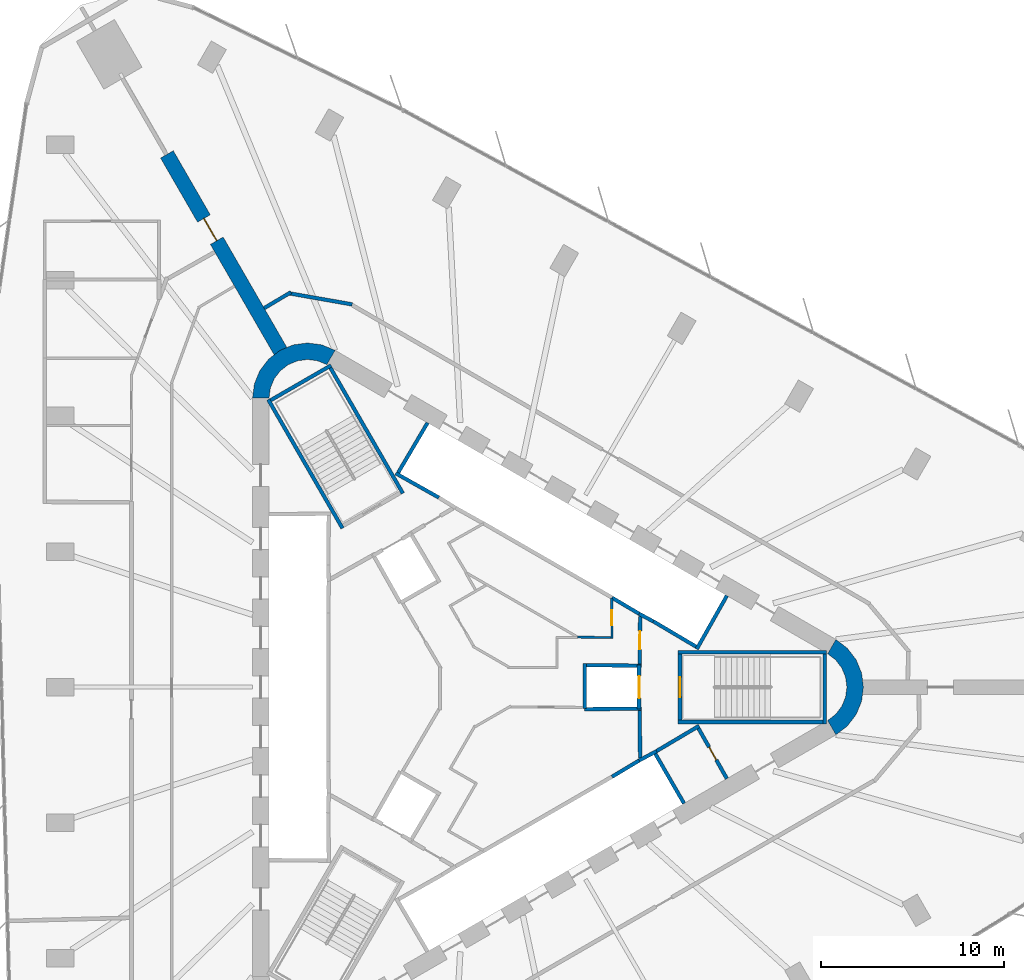
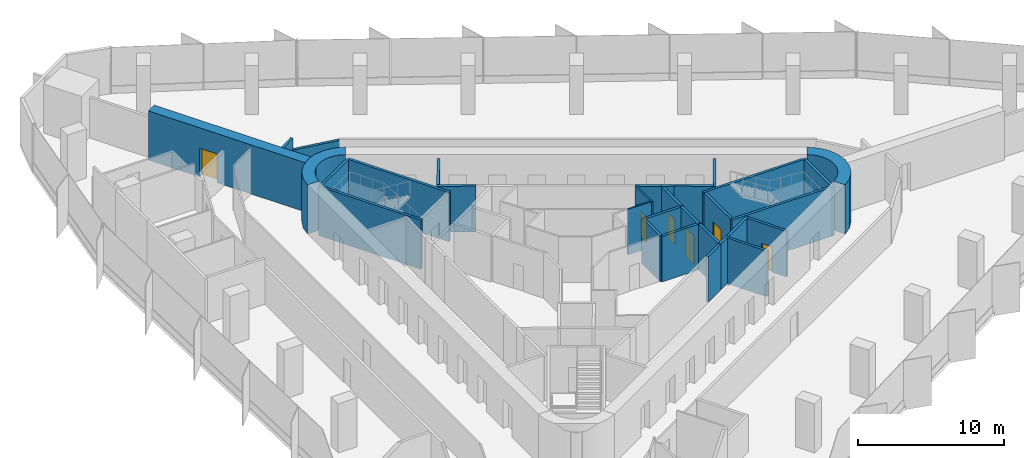
# One storey, part 11 of 14: 31 walls, 6 doors, 6 openings.
"""IFC4 building model written with IfcOpenShell, lengths in metres."""

from ifc_helpers import new_model, si_unit, direction, frame, frame_2d, origin, place, context, subcontext, project, spatial, polyline, rectangle, outline, extrude, material, layer, layer_set, type_object, element, fill, save


model = new_model("IFC4")

# Units and contexts
model_context = context("Model", 3, precision=1e-05, world=origin(), true_north=direction((0.0, 1.0)))
body_context = subcontext(model_context, "Body", "Model", "MODEL_VIEW")
ifc_project = project(units=[si_unit("LENGTHUNIT", "METRE"), si_unit("AREAUNIT", "SQUARE_METRE"), si_unit("VOLUMEUNIT", "CUBIC_METRE"), si_unit("PLANEANGLEUNIT", "RADIAN"), si_unit("MASSUNIT", "GRAM", prefix="KILO")], contexts=[model_context])

# Site, building, storey
site_placement = place(None, origin())
site = spatial("IfcSite", under=ifc_project, at=site_placement, CompositionType="ELEMENT")
building_placement = place(site_placement, origin())
building = spatial("IfcBuilding", under=site, at=building_placement, Name="Tanit Gate Tower", CompositionType="ELEMENT")
storey_placement = place(building_placement, frame((0.0, 0.0, 143.89990234375)))
storey = spatial("IfcBuildingStorey", under=building, at=storey_placement, Name="L31", CompositionType="ELEMENT", Elevation=143.89990234375)

# Wall, opening, door
ifc_material_1 = material(Name="Concrete C60/75", Category="concrete")
ifc_layer_1 = layer(ifc_material_1, 0.800048828125)
ifc_layer_set_1 = layer_set([ifc_layer_1], Name="BUTTRESS FIN 800 C60/75")
wall_type_1 = type_object("IfcWallType", Name="BUTTRESS FIN 800 C60/75", PredefinedType="SHEAR", material=ifc_layer_set_1)
wall_1_placement = place(storey_placement, frame((-10.574951171875, 18.31640625, 0.0), z_axis=(0.0, 0.0, 1.0), x_axis=(-0.500002326941, 0.86602406032, 0.0)))
wall_1 = element("IfcWall", 1, at=wall_1_placement, inside=storey, type_object=wall_type_1, Name="BUTTRESS FIN", PredefinedType="SHEAR", context=body_context, shape_type="SweptSolid", body=[
    extrude(rectangle(XDim=12.3837890625, YDim=0.800048828125, at=frame_2d((6.19189453125, 0.0))), origin(), (0.0, 0.0, 1.0), 4.10009765625),
])
opening_1_placement = place(wall_1_placement, frame((6.949951171875, 0.0, 0.0)))
opening_1 = element("IfcOpeningElement", 2, at=opening_1_placement, cuts=wall_1, Name="Opening P14-S08-F-NW-1", PredefinedType="OPENING", context=body_context, shape_type="SweptSolid", body=[
    extrude(rectangle(XDim=1.39990234375, YDim=2.39990234375, at=frame_2d((0.699951171875, 1.199951171875))), frame((0.0, 0.41015625, 0.0), z_axis=(0.0, -1.0, 0.0), x_axis=(1.0, 0.0, 0.0)), (0.0, 0.0, 1.0), 0.820068359375),
])
ifc_material_2 = material(Name="Timber door leaf", Category="wood")
door_type_1 = type_object("IfcDoorType", Name="INT-DOOR-FIN-PAIR-1400", OperationType="NOTDEFINED", PredefinedType="NOTDEFINED", material=ifc_material_2)
door_1_placement = place(opening_1_placement, origin())
door_1 = element("IfcDoor", 3, at=door_1_placement, inside=storey, type_object=door_type_1, Name="Door P14-S08-F-NW-1", OperationType="DOUBLE_DOOR_SINGLE_SWING", OverallHeight=2.39990234375, OverallWidth=1.39990234375, PredefinedType="NOTDEFINED", context=body_context, shape_type="SweptSolid", body=[
    extrude(rectangle(XDim=1.39990234375, YDim=2.39990234375, at=frame_2d((0.699951171875, 1.199951171875))), frame((0.0, 0.02490234375, 0.0), z_axis=(0.0, -1.0, 0.0), x_axis=(1.0, 0.0, 0.0)), (0.0, 0.0, 1.0), 0.050048828125),
])
fill(opening_1, door_1)

# Walls
ifc_material_3 = material(Name="Concrete C60/75", Category="concrete")
ifc_layer_2 = layer(ifc_material_3, 0.89990234375)
ifc_layer_set_2 = layer_set([ifc_layer_2], Name="CORE WALL 900 C60/75")
wall_type_2 = type_object("IfcWallType", Name="CORE WALL 900 C60/75", PredefinedType="SHEAR", material=ifc_layer_set_2)
wall_2_placement = place(storey_placement, origin())
element("IfcWall", 4, at=wall_2_placement, inside=storey, type_object=wall_type_2, Name="CORE WALL CORNER", PredefinedType="SHEAR", context=body_context, shape_type="SweptSolid", body=[
    extrude(outline(polyline([(-7.60009765625, 18.359619140625), (-8.323486328125, 18.659423828125), (-9.10009765625, 18.76171875), (-9.87646484375, 18.659423828125), (-10.60009765625, 18.359619140625), (-11.22119140625, 17.883056640625), (-11.697998046875, 17.26171875), (-11.997802734375, 16.5380859375), (-12.10009765625, 15.76171875), (-11.199951171875, 15.76171875), (-11.12841796875, 16.30517578125), (-10.918701171875, 16.811767578125), (-10.5849609375, 17.24658203125), (-10.14990234375, 17.580322265625), (-9.6435546875, 17.7900390625), (-9.10009765625, 17.86181640625), (-8.556396484375, 17.7900390625), (-8.050048828125, 17.580322265625), (-7.60009765625, 18.359619140625)])), origin(), (0.0, 0.0, 1.0), 4.10009765625),
])
wall_3_placement = place(storey_placement, origin())
element("IfcWall", 5, at=wall_3_placement, inside=storey, type_object=wall_type_2, Name="CORE WALL CORNER", PredefinedType="SHEAR", context=body_context, shape_type="SweptSolid", body=[
    extrude(outline(polyline([(19.699951171875, -2.59814453125), (20.3212890625, -2.121337890625), (20.798095703125, -1.5), (21.097900390625, -0.776611328125), (21.199951171875, 0.0), (21.097900390625, 0.776611328125), (20.798095703125, 1.5), (20.3212890625, 2.121337890625), (19.699951171875, 2.59814453125), (19.25, 1.818603515625), (19.684814453125, 1.48486328125), (20.018798828125, 1.050048828125), (20.228515625, 0.54345703125), (20.300048828125, 0.0), (20.228515625, -0.54345703125), (20.018798828125, -1.050048828125), (19.684814453125, -1.48486328125), (19.25, -1.818603515625), (19.699951171875, -2.59814453125)])), origin(), (0.0, 0.0, 1.0), 4.10009765625),
])
ifc_material_4 = material(Name="Fire-rated gypsum board partition")
ifc_layer_3 = layer(ifc_material_4, 0.199951171875)
ifc_layer_set_3 = layer_set([ifc_layer_3], Name="INT-WALL-COMPARTMENT")
wall_type_3 = type_object("IfcWallType", Name="INT-WALL-COMPARTMENT", PredefinedType="PARTITIONING", material=ifc_layer_set_3)
wall_4_placement = place(storey_placement, frame((12.244873046875, -2.10888671875, 0.0), z_axis=(0.0, 0.0, 1.0), x_axis=(-0.860414880418, -0.509594185166, 0.0)))
element("IfcWall", 6, at=wall_4_placement, inside=storey, type_object=wall_type_3, Name="Wall Compartment W057", PredefinedType="PARTITIONING", context=body_context, shape_type="SweptSolid", body=[
    extrude(rectangle(XDim=2.7001953125, YDim=0.199951171875, at=frame_2d((1.35009765625, 0.0))), origin(), (0.0, 0.0, 1.0), 3.800048828125),
])

# Wall, opening, door
wall_5_placement = place(storey_placement, frame((13.758056640625, -4.989501953125, 0.0), z_axis=(0.0, 0.0, 1.0), x_axis=(-0.491993409184, 0.87059892334, 0.0)))
wall_5 = element("IfcWall", 7, at=wall_5_placement, inside=storey, type_object=wall_type_3, Name="Wall Compartment W058", PredefinedType="PARTITIONING", context=body_context, shape_type="SweptSolid", body=[
    extrude(rectangle(XDim=3.150146484375, YDim=0.199951171875, at=frame_2d((1.5751953125, 0.0))), origin(), (0.0, 0.0, 1.0), 3.800048828125),
])
opening_2_placement = place(wall_5_placement, frame((1.175048828125, 0.0, 0.0)))
opening_2 = element("IfcOpeningElement", 8, at=opening_2_placement, cuts=wall_5, Name="Opening R08-S08-14", PredefinedType="OPENING", context=body_context, shape_type="SweptSolid", body=[
    extrude(rectangle(XDim=0.800048828125, YDim=2.10009765625, at=frame_2d((0.39990234375, 1.050048828125))), frame((0.0, 0.10986328125, 0.0), z_axis=(0.0, -1.0, 0.0), x_axis=(1.0, 0.0, 0.0)), (0.0, 0.0, 1.0), 0.219970703125),
])
ifc_material_5 = material(Name="Timber door leaf", Category="wood")
door_type_2 = type_object("IfcDoorType", Name="INT-DOOR-RISER-800", OperationType="NOTDEFINED", PredefinedType="USERDEFINED", material=ifc_material_5)
door_2_placement = place(opening_2_placement, origin())
door_2 = element("IfcDoor", 9, at=door_2_placement, inside=storey, type_object=door_type_2, Name="Door R08-S08-14", ObjectType="FIRE DOOR", OperationType="SINGLE_SWING_RIGHT", OverallHeight=2.10009765625, OverallWidth=0.800048828125, PredefinedType="USERDEFINED", context=body_context, shape_type="SweptSolid", body=[
    extrude(rectangle(XDim=0.800048828125, YDim=2.10009765625, at=frame_2d((0.39990234375, 1.050048828125))), frame((0.0, 0.02490234375, 0.0), z_axis=(0.0, -1.0, 0.0), x_axis=(1.0, 0.0, 0.0)), (0.0, 0.0, 1.0), 0.050048828125),
])
fill(opening_2, door_2)

# Wall
wall_6_placement = place(storey_placement, frame((9.02880859375, -3.8505859375, 0.0), z_axis=(0.0, 0.0, 1.0), x_axis=(-0.010784614026, 0.999941844359, 0.0)))
element("IfcWall", 10, at=wall_6_placement, inside=storey, type_object=wall_type_3, Name="Wall Compartment W059", PredefinedType="PARTITIONING", context=body_context, shape_type="SweptSolid", body=[
    extrude(rectangle(XDim=2.580810546875, YDim=0.199951171875, at=frame_2d((1.29052734375, 0.0))), origin(), (0.0, 0.0, 1.0), 3.800048828125),
])

# Wall, opening, door
wall_7_placement = place(storey_placement, frame((9.0009765625, 1.27001953125, 0.0), z_axis=(0.0, 0.0, 1.0), x_axis=(0.010783593937, 0.99994185536, 0.0)))
wall_7 = element("IfcWall", 11, at=wall_7_placement, inside=storey, type_object=wall_type_3, Name="Wall Compartment W060", PredefinedType="PARTITIONING", context=body_context, shape_type="SweptSolid", body=[
    extrude(rectangle(XDim=2.5810546875, YDim=0.199951171875, at=frame_2d((1.29052734375, 0.0))), origin(), (0.0, 0.0, 1.0), 3.800048828125),
])
opening_3_placement = place(wall_7_placement, frame((0.79052734375, 0.0, 0.0)))
opening_3 = element("IfcOpeningElement", 12, at=opening_3_placement, cuts=wall_7, Name="Opening F10-S08-02", PredefinedType="OPENING", context=body_context, shape_type="SweptSolid", body=[
    extrude(rectangle(XDim=1.0, YDim=2.10009765625, at=frame_2d((0.5, 1.050048828125))), frame((0.0, 0.10986328125, 0.0), z_axis=(0.0, -1.0, 0.0), x_axis=(1.0, 0.0, 0.0)), (0.0, 0.0, 1.0), 0.219970703125),
])
ifc_material_6 = material(Name="Fire-rated steel door leaf", Category="steel")
door_type_3 = type_object("IfcDoorType", Name="INT-DOOR-FIRE-1000", OperationType="NOTDEFINED", PredefinedType="USERDEFINED", material=ifc_material_6)
door_3_placement = place(opening_3_placement, origin())
door_3 = element("IfcDoor", 13, at=door_3_placement, inside=storey, type_object=door_type_3, Name="Door F10-S08-02", ObjectType="FIRE DOOR", OperationType="SINGLE_SWING_RIGHT", OverallHeight=2.10009765625, OverallWidth=1.0, PredefinedType="USERDEFINED", context=body_context, shape_type="SweptSolid", body=[
    extrude(rectangle(XDim=1.0, YDim=2.10009765625, at=frame_2d((0.5, 1.050048828125))), frame((0.0, 0.02490234375, 0.0), z_axis=(0.0, -1.0, 0.0), x_axis=(1.0, 0.0, 0.0)), (0.0, 0.0, 1.0), 0.050048828125),
])
fill(opening_3, door_3)

# Walls
wall_8_placement = place(storey_placement, frame((-10.00732421875, 21.528564453125, 0.0), z_axis=(0.0, 0.0, 1.0), x_axis=(-0.858379714818, -0.513014878136, 0.0)))
element("IfcWall", 14, at=wall_8_placement, inside=storey, type_object=wall_type_3, Name="Wall Compartment W101", PredefinedType="PARTITIONING", context=body_context, shape_type="SweptSolid", body=[
    extrude(rectangle(XDim=1.697998046875, YDim=0.199951171875, at=frame_2d((0.84912109375, 0.0))), origin(), (0.0, 0.0, 1.0), 3.800048828125),
])
wall_9_placement = place(storey_placement, frame((-6.667236328125, 20.863037109375, 0.0), z_axis=(0.0, 0.0, 1.0), x_axis=(-0.984817805596, 0.173591156977, 0.0)))
element("IfcWall", 15, at=wall_9_placement, inside=storey, type_object=wall_type_3, Name="Wall Compartment W102", PredefinedType="PARTITIONING", context=body_context, shape_type="SweptSolid", body=[
    extrude(rectangle(XDim=3.44287109375, YDim=0.199951171875, at=frame_2d((1.721435546875, 0.0))), origin(), (0.0, 0.0, 1.0), 2.880126953125),
])

# Wall, opening, door
ifc_material_7 = material(Name="Gypsum board partition")
ifc_layer_4 = layer(ifc_material_7, 0.1201171875)
ifc_layer_set_4 = layer_set([ifc_layer_4], Name="INT-WALL-PARTITION")
wall_type_4 = type_object("IfcWallType", Name="INT-WALL-PARTITION", PredefinedType="PARTITIONING", material=ifc_layer_set_4)
wall_10_placement = place(storey_placement, frame((7.500732421875, 2.639892578125, 0.0), z_axis=(0.0, 0.0, 1.0), x_axis=(-0.01174194727, 0.999931060961, 0.0)))
wall_10 = element("IfcWall", 16, at=wall_10_placement, inside=storey, type_object=wall_type_4, Name="Wall Partition W077", PredefinedType="PARTITIONING", context=body_context, shape_type="SweptSolid", body=[
    extrude(rectangle(XDim=2.224853515625, YDim=0.1201171875, at=frame_2d((1.1123046875, 0.0))), origin(), (0.0, 0.0, 1.0), 3.800048828125),
])
opening_4_placement = place(wall_10_placement, frame((0.7421875, 0.0, 0.0)))
opening_4 = element("IfcOpeningElement", 17, at=opening_4_placement, cuts=wall_10, Name="Opening R08-S08-12", PredefinedType="OPENING", context=body_context, shape_type="SweptSolid", body=[
    extrude(rectangle(XDim=0.800048828125, YDim=2.10009765625, at=frame_2d((0.39990234375, 1.050048828125))), frame((0.0, 0.070068359375, 0.0), z_axis=(0.0, -1.0, 0.0), x_axis=(1.0, 0.0, 0.0)), (0.0, 0.0, 1.0), 0.14013671875),
])
door_4_placement = place(opening_4_placement, origin())
door_4 = element("IfcDoor", 18, at=door_4_placement, inside=storey, type_object=door_type_2, Name="Door R08-S08-12", ObjectType="FIRE DOOR", OperationType="SINGLE_SWING_RIGHT", OverallHeight=2.10009765625, OverallWidth=0.800048828125, PredefinedType="USERDEFINED", context=body_context, shape_type="SweptSolid", body=[
    extrude(rectangle(XDim=0.800048828125, YDim=2.10009765625, at=frame_2d((0.39990234375, 1.050048828125))), frame((0.0, 0.02490234375, 0.0), z_axis=(0.0, -1.0, 0.0), x_axis=(1.0, 0.0, 0.0)), (0.0, 0.0, 1.0), 0.050048828125),
])
fill(opening_4, door_4)

# Walls
wall_11_placement = place(storey_placement, frame((5.616943359375, 2.72900390625, 0.0), z_axis=(0.0, 0.0, 1.0), x_axis=(0.999881424181, -0.015399271967, 0.0)))
element("IfcWall", 19, at=wall_11_placement, inside=storey, type_object=wall_type_4, Name="Wall Partition W078", PredefinedType="PARTITIONING", context=body_context, shape_type="SweptSolid", body=[
    extrude(rectangle(XDim=1.8232421875, YDim=0.1201171875, at=frame_2d((0.91162109375, 0.0))), origin(), (0.0, 0.0, 1.0), 3.800048828125),
])
ifc_material_8 = material(Name="Gypsum shaft wall system")
ifc_layer_5 = layer(ifc_material_8, 0.199951171875)
ifc_layer_set_5 = layer_set([ifc_layer_5], Name="INT-WALL-SHAFT")
wall_type_5 = type_object("IfcWallType", Name="INT-WALL-SHAFT", PredefinedType="PLUMBINGWALL", material=ifc_layer_set_5)
wall_12_placement = place(storey_placement, frame((12.10986328125, 2.07275390625, 0.0), z_axis=(0.0, 0.0, 1.0), x_axis=(0.49196600604, 0.870614408852, 0.0)))
element("IfcWall", 20, at=wall_12_placement, inside=storey, type_object=wall_type_5, Name="Wall Shaft W013", PredefinedType="PLUMBINGWALL", context=body_context, shape_type="SweptSolid", body=[
    extrude(rectangle(XDim=3.35009765625, YDim=0.199951171875, at=frame_2d((1.675048828125, 0.0))), origin(), (0.0, 0.0, 1.0), 3.800048828125),
])
wall_13_placement = place(storey_placement, frame((12.072998046875, 2.2109375, 0.0), z_axis=(0.0, 0.0, 1.0), x_axis=(-0.860438357912, 0.509554542943, 0.0)))
element("IfcWall", 21, at=wall_13_placement, inside=storey, type_object=wall_type_5, Name="Wall Shaft W014", PredefinedType="PLUMBINGWALL", context=body_context, shape_type="SweptSolid", body=[
    extrude(rectangle(XDim=2.700439453125, YDim=0.199951171875, at=frame_2d((1.35009765625, 0.0))), origin(), (0.0, 0.0, 1.0), 3.800048828125),
])
wall_14_placement = place(storey_placement, frame((9.74755859375, 3.583251953125, 0.0), z_axis=(0.0, 0.0, 1.0), x_axis=(-0.880917147855, 0.473270513147, 0.0)))
element("IfcWall", 22, at=wall_14_placement, inside=storey, type_object=wall_type_5, Name="Wall Shaft W015", PredefinedType="PLUMBINGWALL", context=body_context, shape_type="SweptSolid", body=[
    extrude(rectangle(XDim=0.8779296875, YDim=0.199951171875, at=frame_2d((0.43896484375, 0.0))), origin(), (0.0, 0.0, 1.0), 3.800048828125),
])
wall_15_placement = place(storey_placement, frame((9.07958984375, 3.93701171875, 0.0), z_axis=(0.0, 0.0, 1.0), x_axis=(-0.859981807212, 0.510324691999, 0.0)))
element("IfcWall", 23, at=wall_15_placement, inside=storey, type_object=wall_type_5, Name="Wall Shaft W016", PredefinedType="PLUMBINGWALL", context=body_context, shape_type="SweptSolid", body=[
    extrude(rectangle(XDim=1.8447265625, YDim=0.199951171875, at=frame_2d((0.92236328125, 0.0))), origin(), (0.0, 0.0, 1.0), 3.800048828125),
])
wall_16_placement = place(storey_placement, frame((-4.296142578125, 11.658935546875, 0.0), z_axis=(0.0, 0.0, 1.0), x_axis=(0.871534483978, -0.490334215854, 0.0)))
element("IfcWall", 24, at=wall_16_placement, inside=storey, type_object=wall_type_5, Name="Wall Shaft W021", PredefinedType="PLUMBINGWALL", context=body_context, shape_type="SweptSolid", body=[
    extrude(rectangle(XDim=2.7001953125, YDim=0.199951171875, at=frame_2d((1.35009765625, 0.0))), origin(), (0.0, 0.0, 1.0), 3.800048828125),
])
wall_17_placement = place(storey_placement, frame((-4.158203125, 11.696044921875, 0.0), z_axis=(0.0, 0.0, 1.0), x_axis=(0.508018930956, 0.861345903683, 0.0)))
element("IfcWall", 25, at=wall_17_placement, inside=storey, type_object=wall_type_5, Name="Wall Shaft W022", PredefinedType="PLUMBINGWALL", context=body_context, shape_type="SweptSolid", body=[
    extrude(rectangle(XDim=3.150146484375, YDim=0.199951171875, at=frame_2d((1.5751953125, 0.0))), origin(), (0.0, 0.0, 1.0), 3.800048828125),
])
wall_18_placement = place(storey_placement, frame((9.794677734375, -3.52490234375, 0.0), z_axis=(0.0, 0.0, 1.0), x_axis=(0.499984717929, -0.866034226713, 0.0)))
element("IfcWall", 26, at=wall_18_placement, inside=storey, type_object=wall_type_5, Name="Wall Shaft W024", PredefinedType="PLUMBINGWALL", context=body_context, shape_type="SweptSolid", body=[
    extrude(rectangle(XDim=3.25, YDim=0.199951171875, at=frame_2d((1.625, 0.0))), origin(), (0.0, 0.0, 1.0), 3.800048828125),
])
wall_19_placement = place(storey_placement, frame((8.97412109375, -3.998779296875, 0.0), z_axis=(0.0, 0.0, 1.0), x_axis=(0.880907015104, 0.473289373154, 0.0)))
element("IfcWall", 27, at=wall_19_placement, inside=storey, type_object=wall_type_5, Name="Wall Shaft W025", PredefinedType="PLUMBINGWALL", context=body_context, shape_type="SweptSolid", body=[
    extrude(rectangle(XDim=1.078125, YDim=0.199951171875, at=frame_2d((0.5390625, 0.0))), origin(), (0.0, 0.0, 1.0), 3.800048828125),
])
wall_20_placement = place(storey_placement, frame((7.497314453125, -4.885986328125, 0.0), z_axis=(0.0, 0.0, 1.0), x_axis=(0.857516281273, 0.51445682749, 0.0)))
element("IfcWall", 28, at=wall_20_placement, inside=storey, type_object=wall_type_5, Name="Wall Shaft W026", PredefinedType="PLUMBINGWALL", context=body_context, shape_type="SweptSolid", body=[
    extrude(rectangle(XDim=1.8447265625, YDim=0.199951171875, at=frame_2d((0.92236328125, 0.0))), origin(), (0.0, 0.0, 1.0), 3.800048828125),
])

# Wall, opening, door
wall_21_placement = place(storey_placement, frame((8.969970703125, 1.199951171875, 0.0), z_axis=(0.0, 0.0, 1.0), x_axis=(0.0, -1.0, 0.0)))
wall_21 = element("IfcWall", 29, at=wall_21_placement, inside=storey, type_object=wall_type_5, Name="Wall Shaft W037", PredefinedType="PLUMBINGWALL", context=body_context, shape_type="SweptSolid", body=[
    extrude(rectangle(XDim=2.39990234375, YDim=0.199951171875, at=frame_2d((1.199951171875, 0.0))), origin(), (0.0, 0.0, 1.0), 3.800048828125),
])
opening_5_placement = place(wall_21_placement, frame((0.60009765625, 0.0, 0.0)))
opening_5 = element("IfcOpeningElement", 30, at=opening_5_placement, cuts=wall_21, Name="Opening LDFL1-L31", PredefinedType="OPENING", context=body_context, shape_type="SweptSolid", body=[
    extrude(rectangle(XDim=1.199951171875, YDim=2.39990234375, at=frame_2d((0.60009765625, 1.199951171875))), frame((0.0, 0.10986328125, 0.0), z_axis=(0.0, -1.0, 0.0), x_axis=(1.0, 0.0, 0.0)), (0.0, 0.0, 1.0), 0.219970703125),
])
ifc_material_9 = material(Name="Stainless steel sliding door leaf", Category="steel")
door_type_4 = type_object("IfcDoorType", Name="INT-DOOR-LANDING-1200", OperationType="NOTDEFINED", PredefinedType="USERDEFINED", material=ifc_material_9)
door_5_placement = place(opening_5_placement, origin())
door_5 = element("IfcDoor", 31, at=door_5_placement, inside=storey, type_object=door_type_4, Name="Door LDFL1-L31", ObjectType="LANDING DOOR", OperationType="SLIDING_TO_LEFT", OverallHeight=2.39990234375, OverallWidth=1.199951171875, PredefinedType="USERDEFINED", context=body_context, shape_type="SweptSolid", body=[
    extrude(rectangle(XDim=1.199951171875, YDim=2.39990234375, at=frame_2d((0.60009765625, 1.199951171875))), frame((0.0, 0.02490234375, 0.0), z_axis=(0.0, -1.0, 0.0), x_axis=(1.0, 0.0, 0.0)), (0.0, 0.0, 1.0), 0.050048828125),
])
fill(opening_5, door_5)

# Walls
wall_22_placement = place(storey_placement, frame((9.10009765625, -1.1689453125, 0.0), z_axis=(0.0, 0.0, 1.0), x_axis=(-0.999949988, -0.010001074852, 0.0)))
element("IfcWall", 32, at=wall_22_placement, inside=storey, type_object=wall_type_5, Name="Wall Shaft W038", PredefinedType="PLUMBINGWALL", context=body_context, shape_type="SweptSolid", body=[
    extrude(rectangle(XDim=3.100341796875, YDim=0.199951171875, at=frame_2d((1.55029296875, 0.0))), origin(), (0.0, 0.0, 1.0), 3.800048828125),
])
wall_23_placement = place(storey_placement, frame((6.0, -1.16455078125, 0.0), z_axis=(0.0, 0.0, 1.0), x_axis=(0.0, 1.0, 0.0)))
element("IfcWall", 33, at=wall_23_placement, inside=storey, type_object=wall_type_5, Name="Wall Shaft W039", PredefinedType="PLUMBINGWALL", context=body_context, shape_type="SweptSolid", body=[
    extrude(rectangle(XDim=2.464599609375, YDim=0.199951171875, at=frame_2d((1.232421875, 0.0))), origin(), (0.0, 0.0, 1.0), 3.800048828125),
])
wall_24_placement = place(storey_placement, frame((9.10009765625, 1.1689453125, 0.0), z_axis=(0.0, 0.0, 1.0), x_axis=(-0.99994990606, 0.010009264196, 0.0)))
element("IfcWall", 34, at=wall_24_placement, inside=storey, type_object=wall_type_5, Name="Wall Shaft W040", PredefinedType="PLUMBINGWALL", context=body_context, shape_type="SweptSolid", body=[
    extrude(rectangle(XDim=3.000244140625, YDim=0.199951171875, at=frame_2d((1.5, 0.0))), origin(), (0.0, 0.0, 1.0), 3.800048828125),
])
ifc_material_10 = material(Name="Concrete C40/50", Category="concrete")
ifc_layer_6 = layer(ifc_material_10, 0.199951171875)
ifc_layer_set_6 = layer_set([ifc_layer_6], Name="INT-WALL-STAIR")
wall_type_6 = type_object("IfcWallType", Name="INT-WALL-STAIR", PredefinedType="SHEAR", material=ifc_layer_set_6)
wall_25_placement = place(storey_placement, frame((19.199951171875, 1.89990234375, -0.2998046875), z_axis=(0.0, 0.0, 1.0), x_axis=(-1.0, 0.0, 0.0)))
element("IfcWall", 35, at=wall_25_placement, inside=storey, type_object=wall_type_6, Name="Wall Stair W033", PredefinedType="SHEAR", context=body_context, shape_type="SweptSolid", body=[
    extrude(rectangle(XDim=8.099853515625, YDim=0.199951171875, at=frame_2d((4.0498046875, 0.0))), origin(), (0.0, 0.0, 1.0), 4.099853515625),
])
wall_26_placement = place(storey_placement, frame((19.10009765625, -2.0, -0.2998046875), z_axis=(0.0, 0.0, 1.0), x_axis=(0.0, 1.0, 0.0)))
element("IfcWall", 36, at=wall_26_placement, inside=storey, type_object=wall_type_6, Name="Wall Stair W034", PredefinedType="SHEAR", context=body_context, shape_type="SweptSolid", body=[
    extrude(rectangle(XDim=3.800048828125, YDim=0.199951171875, at=frame_2d((1.89990234375, 0.0))), origin(), (0.0, 0.0, 1.0), 4.099853515625),
])
wall_27_placement = place(storey_placement, frame((11.10009765625, -1.89990234375, -0.2998046875), z_axis=(0.0, 0.0, 1.0), x_axis=(1.0, 0.0, 0.0)))
element("IfcWall", 37, at=wall_27_placement, inside=storey, type_object=wall_type_6, Name="Wall Stair W035", PredefinedType="SHEAR", context=body_context, shape_type="SweptSolid", body=[
    extrude(rectangle(XDim=7.89990234375, YDim=0.199951171875, at=frame_2d((3.949951171875, 0.0))), origin(), (0.0, 0.0, 1.0), 4.099853515625),
])

# Wall, opening, door
wall_28_placement = place(storey_placement, frame((11.199951171875, -1.800048828125, -0.2998046875), z_axis=(0.0, 0.0, 1.0), x_axis=(0.0, 1.0, 0.0)))
wall_28 = element("IfcWall", 38, at=wall_28_placement, inside=storey, type_object=wall_type_6, Name="Wall Stair W036", PredefinedType="SHEAR", context=body_context, shape_type="SweptSolid", body=[
    extrude(rectangle(XDim=3.60009765625, YDim=0.199951171875, at=frame_2d((1.800048828125, 0.0))), origin(), (0.0, 0.0, 1.0), 4.099853515625),
])
opening_6_placement = place(wall_28_placement, frame((1.25, 0.0, 0.300048828125)))
opening_6 = element("IfcOpeningElement", 39, at=opening_6_placement, cuts=wall_28, Name="Opening S11-S08-01", PredefinedType="OPENING", context=body_context, shape_type="SweptSolid", body=[
    extrude(rectangle(XDim=1.10009765625, YDim=2.10009765625, at=frame_2d((0.550048828125, 1.050048828125))), frame((0.0, 0.10986328125, 0.0), z_axis=(0.0, -1.0, 0.0), x_axis=(1.0, 0.0, 0.0)), (0.0, 0.0, 1.0), 0.219970703125),
])
ifc_material_11 = material(Name="Timber door leaf", Category="wood")
door_type_5 = type_object("IfcDoorType", Name="INT-DOOR-STAIR-1100", OperationType="NOTDEFINED", PredefinedType="USERDEFINED", material=ifc_material_11)
door_6_placement = place(opening_6_placement, origin())
door_6 = element("IfcDoor", 40, at=door_6_placement, inside=storey, type_object=door_type_5, Name="Door S11-S08-01", ObjectType="FIRE DOOR", OperationType="SINGLE_SWING_RIGHT", OverallHeight=2.10009765625, OverallWidth=1.10009765625, PredefinedType="USERDEFINED", context=body_context, shape_type="SweptSolid", body=[
    extrude(rectangle(XDim=1.10009765625, YDim=2.10009765625, at=frame_2d((0.550048828125, 1.050048828125))), frame((0.0, 0.02490234375, 0.0), z_axis=(0.0, -1.0, 0.0), x_axis=(1.0, 0.0, 0.0)), (0.0, 0.0, 1.0), 0.050048828125),
])
fill(opening_6, door_6)

# Walls
wall_29_placement = place(storey_placement, frame((-11.245361328125, 15.677734375, -0.2998046875), z_axis=(0.0, 0.0, 1.0), x_axis=(0.499977274689, -0.866038523851, 0.0)))
element("IfcWall", 41, at=wall_29_placement, inside=storey, type_object=wall_type_6, Name="Wall Stair W041", PredefinedType="SHEAR", context=body_context, shape_type="SweptSolid", body=[
    extrude(rectangle(XDim=8.10009765625, YDim=0.199951171875, at=frame_2d((4.050048828125, 0.0))), origin(), (0.0, 0.0, 1.0), 4.099853515625),
])
wall_30_placement = place(storey_placement, frame((-7.81787109375, 17.541015625, -0.2998046875), z_axis=(0.0, 0.0, 1.0), x_axis=(-0.866044365799, -0.499967155389, 0.0)))
element("IfcWall", 42, at=wall_30_placement, inside=storey, type_object=wall_type_6, Name="Wall Stair W042", PredefinedType="SHEAR", context=body_context, shape_type="SweptSolid", body=[
    extrude(rectangle(XDim=3.800048828125, YDim=0.199951171875, at=frame_2d((1.89990234375, 0.0))), origin(), (0.0, 0.0, 1.0), 4.099853515625),
])
wall_31_placement = place(storey_placement, frame((-7.8544921875, 17.404541015625, -0.2998046875), z_axis=(0.0, 0.0, 1.0), x_axis=(0.499997992926, -0.866026562566, 0.0)))
element("IfcWall", 43, at=wall_31_placement, inside=storey, type_object=wall_type_6, Name="Wall Stair W043", PredefinedType="SHEAR", context=body_context, shape_type="SweptSolid", body=[
    extrude(rectangle(XDim=7.89990234375, YDim=0.199951171875, at=frame_2d((3.949951171875, 0.0))), origin(), (0.0, 0.0, 1.0), 4.099853515625),
])

save(model, "model.ifc")
